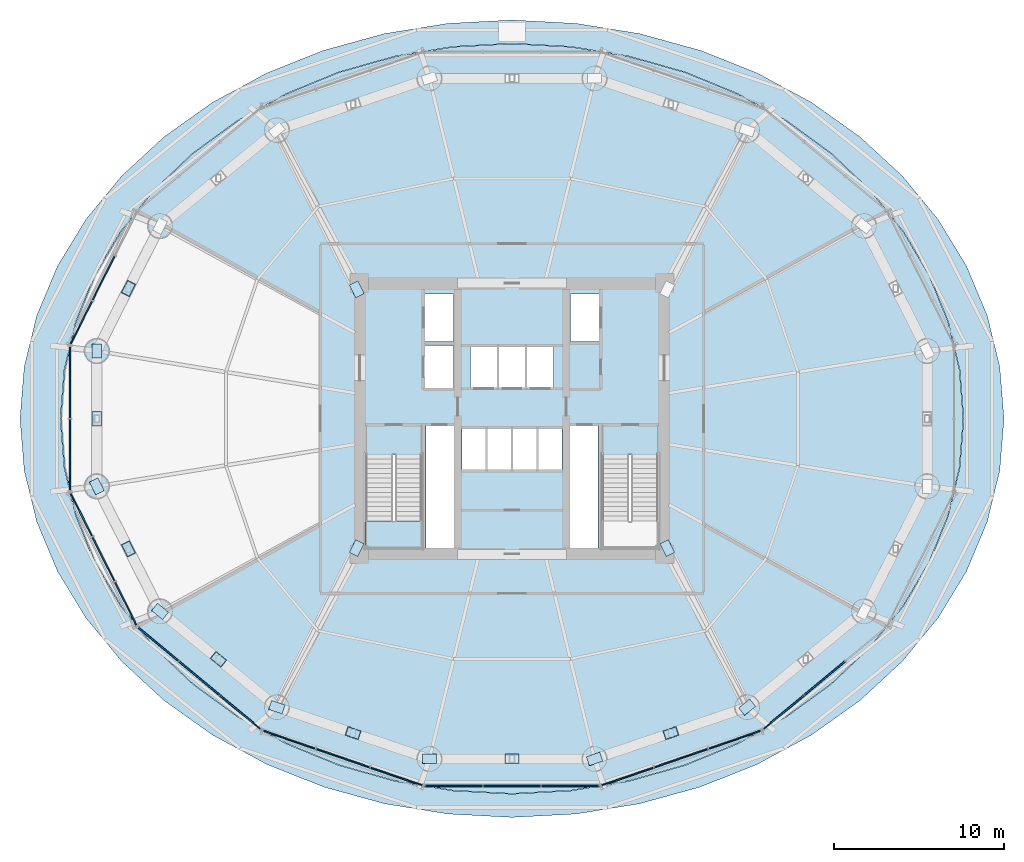
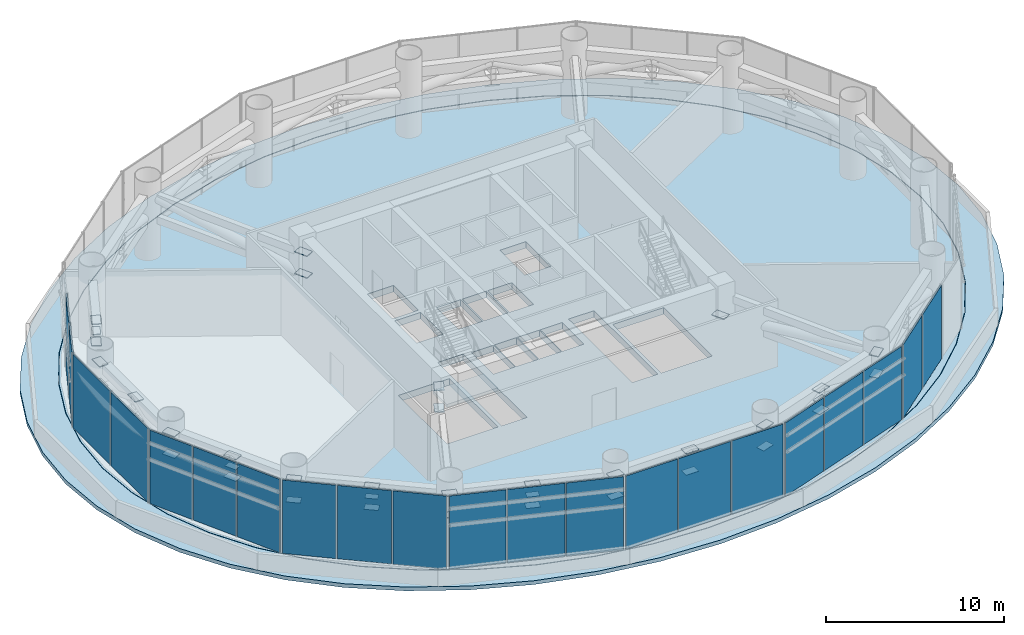
# One storey, part 26 of 33: 59 plates, 3 slabs, 9 elements without a shape of their own.
"""IFC4 building model written with IfcOpenShell, lengths in metres."""

import ifcopenshell
import ifcopenshell.guid

model = None  # the IFC model being written
_history = None  # IfcOwnerHistory: only IFC2X3 demands one
_inside = {}  # id of a spatial element -> (the spatial element, [elements in it])
_under = {}  # id of a project, library or spatial element -> (it, [spatial elements below it])
_declared = {}  # id of a project -> (the project, [libraries it declares])
_typed = {}  # id of a type object -> (the type object, [elements of that type])
_made_of = {}  # id of a material, layer set ... -> (it, [elements and type objects made of it])


def new_model(schema):
    """Start an empty IFC model of exactly this schema.

    Asked for "IFC4X3", IfcOpenShell would pick the latest addendum, in which some entities
    have other attributes; the version numbers below select the first issue.
    IFC2X3 requires an IfcOwnerHistory on every rooted entity: one is made here for all.
    """
    global model, _history
    if schema == "IFC4X3":
        model = ifcopenshell.file(schema_version=(4, 3, 0, 0))
    else:
        model = ifcopenshell.file(schema=schema)
    _inside.clear()
    _under.clear()
    _declared.clear()
    _typed.clear()
    _made_of.clear()
    _history = None
    if model.schema == "IFC2X3":
        org = make("IfcOrganization", Name="unknown")
        user = make(
            "IfcPersonAndOrganization",
            ThePerson=make("IfcPerson", FamilyName="unknown"),
            TheOrganization=org,
        )
        app = make(
            "IfcApplication",
            ApplicationDeveloper=org,
            Version="unknown",
            ApplicationFullName="unknown",
            ApplicationIdentifier="unknown",
        )
        _history = make(
            "IfcOwnerHistory",
            OwningUser=user,
            OwningApplication=app,
            ChangeAction="ADDED",
            CreationDate=0,
        )
    return model


def make(cls, **values):
    """One entity of the class cls with the attributes given. An attribute that is None is left unset."""
    return model.create_entity(
        cls, **{name: value for name, value in values.items() if value is not None}
    )


def rooted(cls, **values):
    """An entity with a GlobalId (a new one), such as an element, a storey or a relation."""
    return make(cls, GlobalId=ifcopenshell.guid.new(), OwnerHistory=_history, **values)


def si_unit(unit_type, name, prefix=None):
    """IfcSIUnit, for example si_unit("LENGTHUNIT", "METRE", prefix="MILLI")."""
    return make("IfcSIUnit", UnitType=unit_type, Prefix=prefix, Name=name)


def assignment(units):
    """IfcUnitAssignment: the units of a project."""
    return None if units is None else make("IfcUnitAssignment", Units=units)


def point(xyz):
    """IfcCartesianPoint."""
    return None if xyz is None else make("IfcCartesianPoint", Coordinates=xyz)


def direction(xyz):
    """IfcDirection."""
    return None if xyz is None else make("IfcDirection", DirectionRatios=xyz)


def frame(location, z_axis=None, x_axis=None):
    """IfcAxis2Placement3D, a coordinate frame: its origin and axes. An axis left out is left unset."""
    return make(
        "IfcAxis2Placement3D",
        Location=point(location),
        Axis=direction(z_axis),
        RefDirection=direction(x_axis),
    )


def frame_2d(location, x_axis=None):
    """IfcAxis2Placement2D, a coordinate frame in the plane: its origin and x axis."""
    return make(
        "IfcAxis2Placement2D", Location=point(location), RefDirection=direction(x_axis)
    )


def origin():
    """The frame at (0, 0, 0) with its axes left unset."""
    return frame((0.0, 0.0, 0.0))


def origin_2d():
    """The frame at (0, 0) in the plane with its x axis left unset."""
    return frame_2d((0.0, 0.0))


def place(relative_to, where):
    """IfcLocalPlacement: puts the frame where relative to a parent placement (None: the world)."""
    return make(
        "IfcLocalPlacement", PlacementRelTo=relative_to, RelativePlacement=where
    )


def context(
    kind, dimensions, precision=None, world=None, true_north=None, identifier=None
):
    """IfcGeometricRepresentationContext, for example the 3D "Model" context."""
    return make(
        "IfcGeometricRepresentationContext",
        ContextIdentifier=identifier,
        ContextType=kind,
        CoordinateSpaceDimension=dimensions,
        Precision=precision,
        WorldCoordinateSystem=world,
        TrueNorth=true_north,
    )


def subcontext(parent, identifier, kind, view, scale=None):
    """IfcGeometricRepresentationSubContext, for example "Body" below "Model"."""
    return make(
        "IfcGeometricRepresentationSubContext",
        ContextIdentifier=identifier,
        ContextType=kind,
        ParentContext=parent,
        TargetScale=scale,
        TargetView=view,
    )


def project(units=None, contexts=None):
    """IfcProject with its units and contexts."""
    return rooted(
        "IfcProject",
        Name="project",
        RepresentationContexts=contexts,
        UnitsInContext=assignment(units),
    )


def spatial(cls, under=None, at=None, **own):
    """A site, building, storey or space (cls), placed at a placement, below another one or the project."""
    s = rooted(cls, ObjectPlacement=at, **own)
    if under is not None:
        _under.setdefault(under.id(), (under, []))[1].append(s)
    return s


def polyline(points):
    """IfcPolyline through the points."""
    return make("IfcPolyline", Points=[point(p) for p in points])


def profile(cls, at=None, kind="AREA", **sizes):
    """A parametric profile (cls). Its sizes go by their IFC names, for example OverallWidth=200.0."""
    return make(cls, ProfileType=kind, Position=at, **sizes)


def rectangle(**sizes):
    """IfcRectangleProfileDef."""
    return profile("IfcRectangleProfileDef", **sizes)


def outline(outer, holes=None, kind="AREA"):
    """IfcArbitraryClosedProfileDef: a profile drawn as a closed curve; with holes, ...WithVoids."""
    if holes is None:
        return make("IfcArbitraryClosedProfileDef", ProfileType=kind, OuterCurve=outer)
    return make(
        "IfcArbitraryProfileDefWithVoids",
        ProfileType=kind,
        OuterCurve=outer,
        InnerCurves=holes,
    )


def extrude(swept, where, along, depth):
    """IfcExtrudedAreaSolid: the profile swept, set in the frame where, extruded along a direction by depth."""
    return make(
        "IfcExtrudedAreaSolid",
        SweptArea=swept,
        Position=where,
        ExtrudedDirection=direction(along),
        Depth=depth,
    )


def shape(context_of_items, identifier, shape_type, items):
    """IfcShapeRepresentation: the items that make up one representation, for example the "Body"."""
    return make(
        "IfcShapeRepresentation",
        ContextOfItems=context_of_items,
        RepresentationIdentifier=identifier,
        RepresentationType=shape_type,
        Items=items,
    )


def source(mapping_origin, context_of_items, identifier, shape_type, items):
    """IfcRepresentationMap: a shape defined once, which mapped items show again and again."""
    return make(
        "IfcRepresentationMap",
        MappingOrigin=mapping_origin,
        MappedRepresentation=shape(context_of_items, identifier, shape_type, items),
    )


def transform(
    local_origin,
    x_axis=None,
    y_axis=None,
    z_axis=None,
    scale=None,
    scale2=None,
    scale3=None,
    uniform=True,
):
    """IfcCartesianTransformationOperator3D, or its non-uniform kind. x_axis, y_axis, z_axis: its Axis1, 2, 3."""
    if uniform:
        return make(
            "IfcCartesianTransformationOperator3D",
            Axis1=direction(x_axis),
            Axis2=direction(y_axis),
            LocalOrigin=point(local_origin),
            Scale=scale,
            Axis3=direction(z_axis),
        )
    return make(
        "IfcCartesianTransformationOperator3DnonUniform",
        Axis1=direction(x_axis),
        Axis2=direction(y_axis),
        LocalOrigin=point(local_origin),
        Scale=scale,
        Axis3=direction(z_axis),
        Scale2=scale2,
        Scale3=scale3,
    )


def mapped(mapping_source, mapping_target):
    """IfcMappedItem: shows the shape of a source again, moved by a transform."""
    return make(
        "IfcMappedItem", MappingSource=mapping_source, MappingTarget=mapping_target
    )


def material(Name=None, Category=None):
    """IfcMaterial."""
    return make("IfcMaterial", Name=Name, Category=Category)


def layer(
    of_material, thickness, ventilated=None, Name=None, Category=None, Priority=None
):
    """IfcMaterialLayer: one layer of a wall or slab, of a material (None: an air gap)."""
    return make(
        "IfcMaterialLayer",
        Material=of_material,
        LayerThickness=thickness,
        IsVentilated=ventilated,
        Name=Name,
        Category=Category,
        Priority=Priority,
    )


def layer_set(layers, Name=None):
    """IfcMaterialLayerSet."""
    return make("IfcMaterialLayerSet", MaterialLayers=layers, LayerSetName=Name)


def made_of(thing, what):
    """Note that an element or type object is made of a material, layer set ...; save() writes the relation."""
    if what is not None:
        _made_of.setdefault(what.id(), (what, []))[1].append(thing)
    return thing


def type_object(cls, material=None, **own):
    """A type object (cls), such as IfcWallType, which elements share."""
    return made_of(rooted(cls, **own), material)


def element(
    cls,
    number,
    at=None,
    inside=None,
    cuts=None,
    type_object=None,
    material=None,
    context=None,
    identifier="Body",
    shape_type=None,
    held_by="IfcProductDefinitionShape",
    body=None,
    shapes=None,
    **own,
):
    """One element of the class cls, such as IfcWall. Its Tag is "e" and its number.

    at: its placement. inside: the storey or other place that contains it. cuts: it is an
    opening in that element (IfcRelVoidsElement). A single representation is given by context,
    identifier, shape_type and body (its items); several are given by shapes. held_by: the class
    of the entity that holds the representations. save() writes the other relations.
    """
    e = rooted(cls, Tag="e%d" % number, ObjectPlacement=at, **own)
    if body is not None:
        shapes = [shape(context, identifier, shape_type, body)]
    if shapes is not None:
        e.Representation = make(held_by, Representations=shapes)
    if inside is not None:
        _inside.setdefault(inside.id(), (inside, []))[1].append(e)
    if cuts is not None:
        rooted(
            "IfcRelVoidsElement", RelatingBuildingElement=cuts, RelatedOpeningElement=e
        )
    if type_object is not None:
        _typed.setdefault(type_object.id(), (type_object, []))[1].append(e)
    return made_of(e, material)


def aggregate(whole, parts):
    """IfcRelAggregates: a whole, such as a stair, and the parts it consists of."""
    return rooted("IfcRelAggregates", RelatingObject=whole, RelatedObjects=parts)


def save(model, path):
    """Write the relations noted so far, then the file.

    IfcRelAggregates (storeys below a building ...), IfcRelContainedInSpatialStructure (elements
    in a storey), IfcRelDefinesByType, IfcRelAssociatesMaterial and IfcRelDeclares: one each for
    every whole, place, type object, material and project.
    """
    for whole, parts in _under.values():
        aggregate(whole, parts)
    for where, things in _inside.values():
        rooted(
            "IfcRelContainedInSpatialStructure",
            RelatedElements=things,
            RelatingStructure=where,
        )
    for kind, things in _typed.values():
        rooted("IfcRelDefinesByType", RelatedObjects=things, RelatingType=kind)
    for what, things in _made_of.values():
        rooted("IfcRelAssociatesMaterial", RelatedObjects=things, RelatingMaterial=what)
    for by, libraries in _declared.values():
        rooted("IfcRelDeclares", RelatingContext=by, RelatedDefinitions=libraries)
    model.write(path)


model = new_model("IFC4")

# Units and contexts
model_context = context("Model", 3, precision=1e-05, world=origin(), true_north=direction((-0.2419218956, 0.970295726276)))
body_context = subcontext(model_context, "Body", "Model", "MODEL_VIEW")
ifc_project = project(units=[si_unit("LENGTHUNIT", "METRE"), si_unit("AREAUNIT", "SQUARE_METRE"), si_unit("VOLUMEUNIT", "CUBIC_METRE"), si_unit("PLANEANGLEUNIT", "RADIAN"), si_unit("MASSUNIT", "GRAM", prefix="KILO")], contexts=[model_context])

# Site, building, storey
site_placement = place(None, origin())
site = spatial("IfcSite", under=ifc_project, at=site_placement, CompositionType="ELEMENT")
building_placement = place(site_placement, origin())
building = spatial("IfcBuilding", under=site, at=building_placement, Name="Cobrevalo Terracotta Tower", CompositionType="ELEMENT")
storey_placement = place(building_placement, frame((0.0, 0.0, 74.39990234375)))
storey = spatial("IfcBuildingStorey", under=building, at=storey_placement, Name="L19", CompositionType="ELEMENT", Elevation=74.39990234375)

# Stair, slab
ifc_material_1 = material(Name="Concrete C50", Category="concrete")
stair_type = type_object("IfcStairType", Name="Core protected escape dogleg stair 1600", PredefinedType="HALF_TURN_STAIR", material=ifc_material_1)
stair_placement = place(storey_placement, origin())
stair = element("IfcStair", 1, at=stair_placement, inside=storey, type_object=stair_type, Name="L19 Protected exit stair ST-1", PredefinedType="HALF_TURN_STAIR")
ifc_layer_1 = layer(ifc_material_1, 0.199951171875)
ifc_layer_set_1 = layer_set([ifc_layer_1], Name="Concrete C50")
slab_type_1 = type_object("IfcSlabType", Name="Reinforced Concrete Stair Landing 200", PredefinedType="LANDING", material=ifc_layer_set_1)
slab_1_placement = place(storey_placement, frame((0.0, 0.0, 2.5)))
slab_1 = element("IfcSlab", 2, at=slab_1_placement, type_object=slab_type_1, Name="ST-1 landing 1", PredefinedType="LANDING", context=body_context, shape_type="SweptSolid", body=[
    extrude(outline(polyline([(29.375, 20.780029296875), (29.375, 19.175048828125), (32.695068359375, 19.175048828125), (32.695068359375, 20.780029296875), (29.375, 20.780029296875)])), origin(), (0.0, 0.0, 1.0), 0.2001953125),
])
aggregate(stair, [slab_1])

# Slabs
ifc_material_2 = material(Name="Concrete C55", Category="concrete")
ifc_layer_2 = layer(ifc_material_2, 0.449951171875)
ifc_layer_set_2 = layer_set([ifc_layer_2], Name="Concrete C55")
slab_type_2 = type_object("IfcSlabType", Name="Structural transfer deck slab 450 mm", PredefinedType="FLOOR", material=ifc_layer_set_2)
slab_2_placement = place(storey_placement, frame((0.0, 0.0, -0.449951171875)))
element("IfcSlab", 3, at=slab_2_placement, inside=storey, type_object=slab_type_2, Name="L19 indoor elliptical floor slab", PredefinedType="FLOOR", context=body_context, shape_type="SweptSolid", body=[
    extrude(outline(polyline([(64.372314453125, 23.915283203125), (63.693603515625, 21.080078125), (62.5751953125, 18.3427734375), (61.036376953125, 15.75), (59.103271484375, 13.346435546875), (56.80908203125, 11.1728515625), (54.193115234375, 9.266845703125), (51.300048828125, 7.660888671875), (48.179443359375, 6.38232421875), (44.884521484375, 5.453125), (41.471923828125, 4.88916015625), (38.0, 4.699951171875), (34.528076171875, 4.88916015625), (31.115478515625, 5.453125), (27.820556640625, 6.38232421875), (24.699951171875, 7.660888671875), (21.806884765625, 9.266845703125), (19.19091796875, 11.1728515625), (16.896728515625, 13.346435546875), (14.963623046875, 15.75), (13.4248046875, 18.3427734375), (12.306396484375, 21.080078125), (11.627685546875, 23.915283203125), (11.39990234375, 26.800048828125), (11.627685546875, 29.6845703125), (12.306396484375, 32.52001953125), (13.4248046875, 35.25732421875), (14.963623046875, 37.85009765625), (16.896728515625, 40.253662109375), (19.19091796875, 42.427001953125), (21.806884765625, 44.3330078125), (24.699951171875, 45.939208984375), (27.820556640625, 47.2177734375), (31.115478515625, 48.14697265625), (34.528076171875, 48.7109375), (38.0, 48.89990234375), (41.471923828125, 48.7109375), (44.884521484375, 48.14697265625), (48.179443359375, 47.2177734375), (51.300048828125, 45.939208984375), (54.193115234375, 44.3330078125), (56.80908203125, 42.427001953125), (59.103271484375, 40.253662109375), (61.036376953125, 37.85009765625), (62.5751953125, 35.25732421875), (63.693603515625, 32.52001953125), (64.372314453125, 29.6845703125), (64.60009765625, 26.800048828125), (64.372314453125, 23.915283203125)]), holes=[polyline([(32.695068359375, 19.175048828125), (32.695068359375, 24.659912109375), (29.375, 24.659912109375), (29.375, 19.175048828125), (32.695068359375, 19.175048828125)]), polyline([(34.574951171875, 19.175048828125), (34.574951171875, 26.360107421875), (32.919921875, 26.360107421875), (32.919921875, 19.175048828125), (34.574951171875, 19.175048828125)]), polyline([(36.47998046875, 23.800048828125), (36.47998046875, 26.25), (35.050048828125, 26.25), (35.050048828125, 23.800048828125), (36.47998046875, 23.800048828125)]), polyline([(37.9599609375, 23.800048828125), (37.9599609375, 26.25), (36.530029296875, 26.25), (36.530029296875, 23.800048828125), (37.9599609375, 23.800048828125)]), polyline([(37.1201171875, 28.60009765625), (37.1201171875, 31.050048828125), (35.550048828125, 31.050048828125), (35.550048828125, 28.60009765625), (37.1201171875, 28.60009765625)]), polyline([(34.550048828125, 28.60009765625), (34.550048828125, 31.10009765625), (32.85009765625, 31.10009765625), (32.85009765625, 28.60009765625), (34.550048828125, 28.60009765625)]), polyline([(34.550048828125, 31.35009765625), (34.550048828125, 34.14990234375), (32.85009765625, 34.14990234375), (32.85009765625, 31.35009765625), (34.550048828125, 31.35009765625)]), polyline([(46.625, 19.175048828125), (46.625, 24.659912109375), (43.304931640625, 24.659912109375), (43.304931640625, 19.175048828125), (46.625, 19.175048828125)]), polyline([(43.080078125, 19.175048828125), (43.080078125, 26.360107421875), (41.425048828125, 26.360107421875), (41.425048828125, 19.175048828125), (43.080078125, 19.175048828125)]), polyline([(39.469970703125, 23.800048828125), (39.469970703125, 26.25), (38.0400390625, 26.25), (38.0400390625, 23.800048828125), (39.469970703125, 23.800048828125)]), polyline([(40.949951171875, 23.800048828125), (40.949951171875, 26.25), (39.52001953125, 26.25), (39.52001953125, 23.800048828125), (40.949951171875, 23.800048828125)]), polyline([(38.780029296875, 28.60009765625), (38.780029296875, 31.050048828125), (37.219970703125, 31.050048828125), (37.219970703125, 28.60009765625), (38.780029296875, 28.60009765625)]), polyline([(40.449951171875, 28.60009765625), (40.449951171875, 31.050048828125), (38.8798828125, 31.050048828125), (38.8798828125, 28.60009765625), (40.449951171875, 28.60009765625)]), polyline([(43.14990234375, 31.35009765625), (43.14990234375, 34.14990234375), (41.449951171875, 34.14990234375), (41.449951171875, 31.35009765625), (43.14990234375, 31.35009765625)])]), origin(), (0.0, 0.0, 1.0), 0.449951171875),
])
ifc_material_3 = material(Name="Concrete C45", Category="concrete")
ifc_layer_3 = layer(ifc_material_3, 0.260009765625)
ifc_layer_set_3 = layer_set([ifc_layer_3], Name="Concrete C45")
slab_type_3 = type_object("IfcSlabType", Name="Zone setback structural roof slab 260 mm", PredefinedType="ROOF", material=ifc_layer_set_3)
slab_3_placement = place(storey_placement, frame((0.0, 0.0, -0.260009765625)))
element("IfcSlab", 4, at=slab_3_placement, inside=storey, type_object=slab_type_3, Name="L19 zone setback roof collar slab 1", PredefinedType="ROOF", context=body_context, shape_type="SweptSolid", body=[
    extrude(outline(polyline([(66.751953125, 23.732666015625), (66.011962890625, 20.7177734375), (64.79248046875, 17.806884765625), (63.11474609375, 15.050048828125), (61.00732421875, 12.494140625), (58.506103515625, 10.18310546875), (55.654052734375, 8.15625), (52.5, 6.448486328125), (49.097900390625, 5.0888671875), (45.505859375, 4.100830078125), (41.78515625, 3.5009765625), (38.0, 3.300048828125), (34.21484375, 3.5009765625), (30.494140625, 4.100830078125), (26.902099609375, 5.0888671875), (23.5, 6.448486328125), (20.345947265625, 8.15625), (17.493896484375, 10.18310546875), (14.99267578125, 12.494140625), (12.88525390625, 15.050048828125), (11.20751953125, 17.806884765625), (9.988037109375, 20.7177734375), (9.248046875, 23.732666015625), (9.0, 26.800048828125), (9.248046875, 29.867431640625), (9.988037109375, 32.88232421875), (11.20751953125, 35.79296875), (12.88525390625, 38.550048828125), (14.99267578125, 41.10595703125), (17.493896484375, 43.4169921875), (20.345947265625, 45.44384765625), (23.5, 47.151611328125), (26.902099609375, 48.51123046875), (30.494140625, 49.499267578125), (34.21484375, 50.098876953125), (38.0, 50.300048828125), (41.78515625, 50.098876953125), (45.505859375, 49.499267578125), (49.097900390625, 48.51123046875), (52.5, 47.151611328125), (55.654052734375, 45.44384765625), (58.506103515625, 43.4169921875), (61.00732421875, 41.10595703125), (63.11474609375, 38.550048828125), (64.79248046875, 35.79296875), (66.011962890625, 32.88232421875), (66.751953125, 29.867431640625), (67.0, 26.800048828125), (66.751953125, 23.732666015625)]), holes=[polyline([(64.392333984375, 29.687255859375), (63.712890625, 32.525146484375), (62.59375, 35.264892578125), (61.0537109375, 37.860107421875), (59.119140625, 40.265869140625), (56.8232421875, 42.441162109375), (54.205322265625, 44.348876953125), (51.31005859375, 45.95654296875), (48.18701171875, 47.236328125), (44.8896484375, 48.166259765625), (41.474609375, 48.730712890625), (38.0, 48.919921875), (34.525390625, 48.730712890625), (31.1103515625, 48.166259765625), (27.81298828125, 47.236328125), (24.68994140625, 45.95654296875), (21.794677734375, 44.348876953125), (19.1767578125, 42.441162109375), (16.880859375, 40.265869140625), (14.9462890625, 37.860107421875), (13.40625, 35.264892578125), (12.287109375, 32.525146484375), (11.607666015625, 29.687255859375), (11.3798828125, 26.800048828125), (11.607666015625, 23.912841796875), (12.287109375, 21.074951171875), (13.40625, 18.3349609375), (14.9462890625, 15.739990234375), (16.880859375, 13.334228515625), (19.1767578125, 11.15869140625), (21.794677734375, 9.2509765625), (24.68994140625, 7.6435546875), (27.81298828125, 6.36376953125), (31.1103515625, 5.433837890625), (34.525390625, 4.869140625), (38.0, 4.679931640625), (41.474609375, 4.869140625), (44.8896484375, 5.433837890625), (48.18701171875, 6.36376953125), (51.31005859375, 7.6435546875), (54.205322265625, 9.2509765625), (56.8232421875, 11.15869140625), (59.119140625, 13.334228515625), (61.0537109375, 15.739990234375), (62.59375, 18.3349609375), (63.712890625, 21.074951171875), (64.392333984375, 23.912841796875), (64.6201171875, 26.800048828125), (64.392333984375, 29.687255859375)])]), origin(), (0.0, 0.0, 1.0), 0.260009765625),
])

# Plates
ifc_material_4 = material(Name="Steel S355", Category="steel")
ifc_layer_4 = layer(ifc_material_4, 0.035888671875)
ifc_layer_set_4 = layer_set([ifc_layer_4], Name="Steel S355")
plate_type_1 = type_object("IfcPlateType", Name="Structural Cap Plate 840x560x36 (Steel S355)", PredefinedType="USERDEFINED", material=ifc_layer_set_4)
shared_shape_1 = source(origin(), body_context, "Body", "SweptSolid", [
    extrude(rectangle(XDim=0.840087890625, YDim=0.56005859375, at=origin_2d()), origin(), (0.0, 0.0, 1.0), 0.035888671875),
])
for number, where, z_axis, x_axis, name in (
    (5, (15.39208984375, 34.4755859375, 2.63232421875), (0.0, 0.0, 1.0), (-0.45103643487, -0.892505537473, 0.0), "L19 hollow end cap plate CAP-BT-L19-07-BM"),
    (6, (15.39208984375, 34.4755859375, 4.126953125), (0.0, 0.0, 1.0), (-0.45103643487, -0.892505537473, 0.0), "L19 hollow end cap plate CAP-BT-L19-07-TM"),
    (7, (13.529296875, 30.78955078125, 2.63232421875), (0.0, 0.0, 1.0), (0.0, -1.0, 0.0), "L19 hollow end cap plate CAP-BT-L19-08-B0"),
    (8, (13.529296875, 30.78955078125, 4.126953125), (0.0, 0.0, 1.0), (0.0, -1.0, 0.0), "L19 hollow end cap plate CAP-BT-L19-08-T0"),
    (9, (13.529296875, 26.800048828125, 2.63232421875), (0.0, 0.0, 1.0), (0.0, -1.0, 0.0), "L19 hollow end cap plate CAP-BT-L19-08-BM"),
    (10, (13.529296875, 26.800048828125, 4.126953125), (0.0, 0.0, 1.0), (0.0, -1.0, 0.0), "L19 hollow end cap plate CAP-BT-L19-08-TM"),
    (11, (13.529296875, 22.810302734375, 2.63232421875), (0.0, 0.0, 1.0), (0.45103643487, -0.892505537473, 0.0), "L19 hollow end cap plate CAP-BT-L19-09-B0"),
    (12, (13.529296875, 22.810302734375, 4.126953125), (0.0, 0.0, 1.0), (0.45103643487, -0.892505537473, 0.0), "L19 hollow end cap plate CAP-BT-L19-09-T0"),
    (13, (15.39208984375, 19.12451171875, 2.63232421875), (0.0, 0.0, 1.0), (0.45103643487, -0.892505537473, 0.0), "L19 hollow end cap plate CAP-BT-L19-09-BM"),
    (14, (15.39208984375, 19.12451171875, 4.126953125), (0.0, 0.0, 1.0), (0.45103643487, -0.892505537473, 0.0), "L19 hollow end cap plate CAP-BT-L19-09-TM"),
    (15, (17.2548828125, 15.4384765625, 2.63232421875), (0.0, 0.0, 1.0), (0.773404476279, -0.633912861576, 0.0), "L19 hollow end cap plate CAP-BT-L19-10-B0"),
    (16, (17.2548828125, 15.4384765625, 4.126953125), (0.0, 0.0, 1.0), (0.773404476279, -0.633912861576, 0.0), "L19 hollow end cap plate CAP-BT-L19-10-T0"),
    (17, (20.69677734375, 12.617431640625, 2.63232421875), (0.0, 0.0, 1.0), (0.773404476279, -0.633912861576, 0.0), "L19 hollow end cap plate CAP-BT-L19-10-BM"),
    (18, (20.69677734375, 12.617431640625, 4.126953125), (0.0, 0.0, 1.0), (0.773404476279, -0.633912861576, 0.0), "L19 hollow end cap plate CAP-BT-L19-10-TM"),
    (19, (24.138427734375, 9.79638671875, 2.63232421875), (0.0, 0.0, 1.0), (0.94691554206, -0.321482435298, 0.0), "L19 hollow end cap plate CAP-BT-L19-11-B0"),
    (20, (24.138427734375, 9.79638671875, 4.126953125), (0.0, 0.0, 1.0), (0.94691554206, -0.321482435298, 0.0), "L19 hollow end cap plate CAP-BT-L19-11-T0"),
    (21, (28.635498046875, 8.269775390625, 2.63232421875), (0.0, 0.0, 1.0), (0.94691554206, -0.321482435298, 0.0), "L19 hollow end cap plate CAP-BT-L19-11-BM"),
    (22, (28.635498046875, 8.269775390625, 4.126953125), (0.0, 0.0, 1.0), (0.94691554206, -0.321482435298, 0.0), "L19 hollow end cap plate CAP-BT-L19-11-TM"),
    (23, (33.132568359375, 6.742919921875, 2.63232421875), (0.0, 0.0, 1.0), (1.0, 0.0, 0.0), "L19 hollow end cap plate CAP-BT-L19-12-B0"),
    (24, (33.132568359375, 6.742919921875, 4.126953125), (0.0, 0.0, 1.0), (1.0, 0.0, 0.0), "L19 hollow end cap plate CAP-BT-L19-12-T0"),
    (25, (38.0, 6.742919921875, 2.63232421875), (0.0, 0.0, 1.0), (1.0, 0.0, 0.0), "L19 hollow end cap plate CAP-BT-L19-12-BM"),
    (26, (38.0, 6.742919921875, 4.126953125), (0.0, 0.0, 1.0), (1.0, 0.0, 0.0), "L19 hollow end cap plate CAP-BT-L19-12-TM"),
    (27, (42.867431640625, 6.742919921875, 2.63232421875), (0.0, 0.0, 1.0), (0.94691554206, 0.321482435298, 0.0), "L19 hollow end cap plate CAP-BT-L19-13-B0"),
    (28, (42.867431640625, 6.742919921875, 4.126953125), (0.0, 0.0, 1.0), (0.94691554206, 0.321482435298, 0.0), "L19 hollow end cap plate CAP-BT-L19-13-T0"),
    (29, (47.364501953125, 8.269775390625, 2.63232421875), (0.0, 0.0, 1.0), (0.94691554206, 0.321482435298, 0.0), "L19 hollow end cap plate CAP-BT-L19-13-BM"),
    (30, (47.364501953125, 8.269775390625, 4.126953125), (0.0, 0.0, 1.0), (0.94691554206, 0.321482435298, 0.0), "L19 hollow end cap plate CAP-BT-L19-13-TM"),
    (31, (51.861572265625, 9.79638671875, 2.63232421875), (0.0, 0.0, 1.0), (0.773404476279, 0.633912861576, 0.0), "L19 hollow end cap plate CAP-BT-L19-14-B0"),
    (32, (51.861572265625, 9.79638671875, 4.126953125), (0.0, 0.0, 1.0), (0.773404476279, 0.633912861576, 0.0), "L19 hollow end cap plate CAP-BT-L19-14-T0"),
    (33, (28.85009765625, 34.425048828125, 2.63232421875), (0.0, 0.0, 1.0), (-0.448904195769, 0.893579891795, 0.0), "L19 hollow end cap plate CAP-OR-L19-2-CB"),
    (34, (28.85009765625, 34.425048828125, 4.126953125), (0.0, 0.0, 1.0), (-0.448904195769, 0.893579891795, 0.0), "L19 hollow end cap plate CAP-OR-L19-2-CT"),
    (35, (28.85009765625, 19.175048828125, 2.63232421875), (0.0, 0.0, 1.0), (-0.448904195769, -0.893579891795, 0.0), "L19 hollow end cap plate CAP-OR-L19-3-CB"),
    (36, (28.85009765625, 19.175048828125, 4.126953125), (0.0, 0.0, 1.0), (-0.448904195769, -0.893579891795, 0.0), "L19 hollow end cap plate CAP-OR-L19-3-CT"),
    (37, (47.14990234375, 19.175048828125, 2.63232421875), (0.0, 0.0, 1.0), (0.448904195769, -0.893579891795, 0.0), "L19 hollow end cap plate CAP-OR-L19-4-CB"),
):
    element("IfcPlate", number, at=place(storey_placement, frame(where, z_axis=z_axis, x_axis=x_axis)), inside=storey, type_object=plate_type_1, Name=name, ObjectType="CAP PLATE", PredefinedType="USERDEFINED", context=body_context, shape_type="MappedRepresentation", body=[
        mapped(shared_shape_1, transform((0.0, 0.0, 0.0), scale=1.0)),
    ])
ifc_layer_5 = layer(ifc_material_4, 0.031982421875)
ifc_layer_set_5 = layer_set([ifc_layer_5], Name="Steel S355")
plate_type_2 = type_object("IfcPlateType", Name="Structural Gusset Plate 750x480x32 (Steel S355)", PredefinedType="SHEET", material=ifc_layer_set_5)
shared_shape_2 = source(origin(), body_context, "Body", "SweptSolid", [
    extrude(rectangle(XDim=0.75, YDim=0.47998046875, at=origin_2d()), origin(), (0.0, 0.0, 1.0), 0.031982421875),
])
for number, where, z_axis, x_axis, name in (
    (38, (15.39208984375, 34.4755859375, 3.3818359375), (0.0, 0.0, 1.0), (-0.45103643487, -0.892505537473, 0.0), "L19 hollow end cap plate GUS-BT-L19-07"),
    (39, (15.39208984375, 19.12451171875, 3.3818359375), (0.0, 0.0, 1.0), (0.45103643487, -0.892505537473, 0.0), "L19 hollow end cap plate GUS-BT-L19-09"),
    (40, (20.69677734375, 12.617431640625, 3.3818359375), (0.0, 0.0, 1.0), (0.773404476279, -0.633912861576, 0.0), "L19 hollow end cap plate GUS-BT-L19-10"),
    (41, (28.635498046875, 8.269775390625, 3.3818359375), (0.0, 0.0, 1.0), (0.94691554206, -0.321482435298, 0.0), "L19 hollow end cap plate GUS-BT-L19-11"),
    (42, (47.364501953125, 8.269775390625, 3.3818359375), (0.0, 0.0, 1.0), (0.94691554206, 0.321482435298, 0.0), "L19 hollow end cap plate GUS-BT-L19-13"),
):
    element("IfcPlate", number, at=place(storey_placement, frame(where, z_axis=z_axis, x_axis=x_axis)), inside=storey, type_object=plate_type_2, Name=name, PredefinedType="SHEET", context=body_context, shape_type="MappedRepresentation", body=[
        mapped(shared_shape_2, transform((0.0, 0.0, 0.0), scale=1.0)),
    ])

# Curtain wall, plate
ifc_material_5 = material(Name="Anodized aluminium", Category="aluminium")
curtain_wall_type = type_object("IfcCurtainWallType", Name="Belt-truss plant acoustic weather-louvre curtain wall CW-LV", PredefinedType="NOTDEFINED", material=ifc_material_5)
curtain_wall_1_placement = place(storey_placement, origin())
curtain_wall_1 = element("IfcCurtainWall", 43, at=curtain_wall_1_placement, inside=storey, type_object=curtain_wall_type, Name="L19 curtain wall CW-LV-L19-S07", PredefinedType="NOTDEFINED")
ifc_material_6 = material(Name="Anodized aluminium weather louvre", Category="aluminium")
ifc_layer_6 = layer(ifc_material_6, 0.0849609375)
ifc_layer_set_6 = layer_set([ifc_layer_6], Name="Anodized aluminium weather louvre")
plate_type_3 = type_object("IfcPlateType", Name="Plant room acoustic weather-louvre cassette 85 mm", PredefinedType="USERDEFINED", material=ifc_layer_set_6)
shared_shape_3 = source(origin(), body_context, "Body", "SweptSolid", [
    extrude(rectangle(XDim=2.843505859375, YDim=0.0849609375, at=origin_2d()), origin(), (0.0, 0.0, 1.0), 5.044921875),
])
plate_1_placement = place(storey_placement, frame((12.610595703125, 32.449462890625, 0.0400390625), z_axis=(0.0, 0.0, 1.0), x_axis=(-0.446261852127, -0.894902430065, 0.0)))
plate_1 = element("IfcPlate", 44, at=plate_1_placement, type_object=plate_type_3, Name="CW-LV-L19-S07 acoustic louvre panel B03", ObjectType="LOUVRE_PANEL", PredefinedType="USERDEFINED", context=body_context, shape_type="MappedRepresentation", body=[
    mapped(shared_shape_3, transform((0.0, 0.0, 0.0), scale=1.0)),
])

# Curtain wall, plates
curtain_wall_2_placement = place(storey_placement, origin())
curtain_wall_2 = element("IfcCurtainWall", 45, at=curtain_wall_2_placement, inside=storey, type_object=curtain_wall_type, Name="L19 curtain wall CW-LV-L19-S09", PredefinedType="NOTDEFINED")
plate_2_placement = place(storey_placement, frame((12.610595703125, 21.150390625, 0.0400390625), z_axis=(0.0, 0.0, 1.0), x_axis=(0.446261852127, -0.894902430065, 0.0)))
plate_2 = element("IfcPlate", 46, at=plate_2_placement, type_object=plate_type_3, Name="CW-LV-L19-S09 acoustic louvre panel B01", ObjectType="LOUVRE_PANEL", PredefinedType="USERDEFINED", context=body_context, shape_type="MappedRepresentation", body=[
    mapped(shared_shape_3, transform((0.0, 0.0, 0.0), scale=1.0)),
])
plate_3_placement = place(storey_placement, frame((15.23779296875, 15.88232421875, 0.0400390625), z_axis=(0.0, 0.0, 1.0), x_axis=(0.446261852127, -0.894902430065, 0.0)))
plate_3 = element("IfcPlate", 47, at=plate_3_placement, type_object=plate_type_3, Name="CW-LV-L19-S09 acoustic louvre panel B03", ObjectType="LOUVRE_PANEL", PredefinedType="USERDEFINED", context=body_context, shape_type="MappedRepresentation", body=[
    mapped(shared_shape_3, transform((0.0, 0.0, 0.0), scale=1.0)),
])

# Plate
shared_shape_4 = source(origin(), body_context, "Body", "SweptSolid", [
    extrude(rectangle(XDim=2.88330078125, YDim=0.0849609375, at=origin_2d()), origin(), (0.0, 0.0, 1.0), 5.044921875),
])
plate_4_placement = place(storey_placement, frame((13.924072265625, 35.08349609375, 0.0400390625), z_axis=(0.0, 0.0, 1.0), x_axis=(-0.446261852127, -0.894902430065, 0.0)))
plate_4 = element("IfcPlate", 48, at=plate_4_placement, type_object=plate_type_3, Name="CW-LV-L19-S07 acoustic louvre panel B02", ObjectType="LOUVRE_PANEL", PredefinedType="USERDEFINED", context=body_context, shape_type="MappedRepresentation", body=[
    mapped(shared_shape_4, transform((0.0, 0.0, 0.0), scale=1.0)),
])

aggregate(curtain_wall_1, [plate_4, plate_1])

plate_5_placement = place(storey_placement, frame((13.924072265625, 18.516357421875, 0.0400390625), z_axis=(0.0, 0.0, 1.0), x_axis=(0.446261852127, -0.894902430065, 0.0)))
plate_5 = element("IfcPlate", 49, at=plate_5_placement, type_object=plate_type_3, Name="CW-LV-L19-S09 acoustic louvre panel B02", ObjectType="LOUVRE_PANEL", PredefinedType="USERDEFINED", context=body_context, shape_type="MappedRepresentation", body=[
    mapped(shared_shape_4, transform((0.0, 0.0, 0.0), scale=1.0)),
])

aggregate(curtain_wall_2, [plate_2, plate_5, plate_3])

# Curtain wall, plates
curtain_wall_3_placement = place(storey_placement, origin())
curtain_wall_3 = element("IfcCurtainWall", 50, at=curtain_wall_3_placement, inside=storey, type_object=curtain_wall_type, Name="L19 curtain wall CW-LV-L19-S10", PredefinedType="NOTDEFINED")
shared_shape_5 = source(origin(), body_context, "Body", "SweptSolid", [
    extrude(rectangle(XDim=3.056640625, YDim=0.0849609375, at=origin_2d()), origin(), (0.0, 0.0, 1.0), 5.044921875),
])
plate_6_placement = place(storey_placement, frame((17.14501953125, 13.510986328125, 0.0400390625), z_axis=(0.0, 0.0, 1.0), x_axis=(0.769241221277, -0.638958483384, 0.0)))
plate_6 = element("IfcPlate", 51, at=plate_6_placement, type_object=plate_type_3, Name="CW-LV-L19-S10 acoustic louvre panel B01", ObjectType="LOUVRE_PANEL", PredefinedType="USERDEFINED", context=body_context, shape_type="MappedRepresentation", body=[
    mapped(shared_shape_5, transform((0.0, 0.0, 0.0), scale=1.0)),
])
plate_7_placement = place(storey_placement, frame((22.001220703125, 9.47705078125, 0.0400390625), z_axis=(0.0, 0.0, 1.0), x_axis=(0.769241221277, -0.638958483384, 0.0)))
plate_7 = element("IfcPlate", 52, at=plate_7_placement, type_object=plate_type_3, Name="CW-LV-L19-S10 acoustic louvre panel B03", ObjectType="LOUVRE_PANEL", PredefinedType="USERDEFINED", context=body_context, shape_type="MappedRepresentation", body=[
    mapped(shared_shape_5, transform((0.0, 0.0, 0.0), scale=1.0)),
])

# Curtain wall, plate
curtain_wall_4_placement = place(storey_placement, origin())
curtain_wall_4 = element("IfcCurtainWall", 53, at=curtain_wall_4_placement, inside=storey, type_object=curtain_wall_type, Name="L19 curtain wall CW-LV-L19-S14", PredefinedType="NOTDEFINED")
plate_8_placement = place(storey_placement, frame((53.998779296875, 9.47705078125, 0.0400390625), z_axis=(0.0, 0.0, 1.0), x_axis=(0.769241221277, 0.638958483384, 0.0)))
plate_8 = element("IfcPlate", 54, at=plate_8_placement, type_object=plate_type_3, Name="CW-LV-L19-S14 acoustic louvre panel B01", ObjectType="LOUVRE_PANEL", PredefinedType="USERDEFINED", context=body_context, shape_type="MappedRepresentation", body=[
    mapped(shared_shape_5, transform((0.0, 0.0, 0.0), scale=1.0)),
])

# Plate
shared_shape_6 = source(origin(), body_context, "Body", "SweptSolid", [
    extrude(rectangle(XDim=3.0966796875, YDim=0.0849609375, at=origin_2d()), origin(), (0.0, 0.0, 1.0), 5.044921875),
])
plate_9_placement = place(storey_placement, frame((19.5732421875, 11.493896484375, 0.0400390625), z_axis=(0.0, 0.0, 1.0), x_axis=(0.769241221277, -0.638958483384, 0.0)))
plate_9 = element("IfcPlate", 55, at=plate_9_placement, type_object=plate_type_3, Name="CW-LV-L19-S10 acoustic louvre panel B02", ObjectType="LOUVRE_PANEL", PredefinedType="USERDEFINED", context=body_context, shape_type="MappedRepresentation", body=[
    mapped(shared_shape_6, transform((0.0, 0.0, 0.0), scale=1.0)),
])

aggregate(curtain_wall_3, [plate_6, plate_9, plate_7])

plate_10_placement = place(storey_placement, frame((56.4267578125, 11.493896484375, 0.0400390625), z_axis=(0.0, 0.0, 1.0), x_axis=(0.769241221277, 0.638958483384, 0.0)))
plate_10 = element("IfcPlate", 56, at=plate_10_placement, type_object=plate_type_3, Name="CW-LV-L19-S14 acoustic louvre panel B02", ObjectType="LOUVRE_PANEL", PredefinedType="USERDEFINED", context=body_context, shape_type="MappedRepresentation", body=[
    mapped(shared_shape_6, transform((0.0, 0.0, 0.0), scale=1.0)),
])

aggregate(curtain_wall_4, [plate_8, plate_10])

# Curtain wall, plates
curtain_wall_5_placement = place(storey_placement, origin())
curtain_wall_5 = element("IfcCurtainWall", 57, at=curtain_wall_5_placement, inside=storey, type_object=curtain_wall_type, Name="L19 curtain wall CW-LV-L19-S11", PredefinedType="NOTDEFINED")
shared_shape_7 = source(origin(), body_context, "Body", "SweptSolid", [
    extrude(rectangle(XDim=3.25634765625, YDim=0.0849609375, at=origin_2d()), origin(), (0.0, 0.0, 1.0), 5.044921875),
])
plate_11_placement = place(storey_placement, frame((24.853759765625, 7.893798828125, 0.0400390625), z_axis=(0.0, 0.0, 1.0), x_axis=(0.945596395206, -0.325342062104, 0.0)))
plate_11 = element("IfcPlate", 58, at=plate_11_placement, type_object=plate_type_3, Name="CW-LV-L19-S11 acoustic louvre panel B01", ObjectType="LOUVRE_PANEL", PredefinedType="USERDEFINED", context=body_context, shape_type="MappedRepresentation", body=[
    mapped(shared_shape_7, transform((0.0, 0.0, 0.0), scale=1.0)),
])
plate_12_placement = place(storey_placement, frame((31.201171875, 5.709716796875, 0.0400390625), z_axis=(0.0, 0.0, 1.0), x_axis=(0.945596395206, -0.325342062104, 0.0)))
plate_12 = element("IfcPlate", 59, at=plate_12_placement, type_object=plate_type_3, Name="CW-LV-L19-S11 acoustic louvre panel B03", ObjectType="LOUVRE_PANEL", PredefinedType="USERDEFINED", context=body_context, shape_type="MappedRepresentation", body=[
    mapped(shared_shape_7, transform((0.0, 0.0, 0.0), scale=1.0)),
])

curtain_wall_6_placement = place(storey_placement, origin())
curtain_wall_6 = element("IfcCurtainWall", 60, at=curtain_wall_6_placement, inside=storey, type_object=curtain_wall_type, Name="L19 curtain wall CW-LV-L19-S13", PredefinedType="NOTDEFINED")
plate_13_placement = place(storey_placement, frame((44.798828125, 5.709716796875, 0.0400390625), z_axis=(0.0, 0.0, 1.0), x_axis=(0.945596395206, 0.325342062104, 0.0)))
plate_13 = element("IfcPlate", 61, at=plate_13_placement, type_object=plate_type_3, Name="CW-LV-L19-S13 acoustic louvre panel B01", ObjectType="LOUVRE_PANEL", PredefinedType="USERDEFINED", context=body_context, shape_type="MappedRepresentation", body=[
    mapped(shared_shape_7, transform((0.0, 0.0, 0.0), scale=1.0)),
])
plate_14_placement = place(storey_placement, frame((51.146240234375, 7.893798828125, 0.0400390625), z_axis=(0.0, 0.0, 1.0), x_axis=(0.945596395206, 0.325342062104, 0.0)))
plate_14 = element("IfcPlate", 62, at=plate_14_placement, type_object=plate_type_3, Name="CW-LV-L19-S13 acoustic louvre panel B03", ObjectType="LOUVRE_PANEL", PredefinedType="USERDEFINED", context=body_context, shape_type="MappedRepresentation", body=[
    mapped(shared_shape_7, transform((0.0, 0.0, 0.0), scale=1.0)),
])

# Plate
shared_shape_8 = source(origin(), body_context, "Body", "SweptSolid", [
    extrude(rectangle(XDim=3.29638671875, YDim=0.0849609375, at=origin_2d()), origin(), (0.0, 0.0, 1.0), 5.044921875),
])
plate_15_placement = place(storey_placement, frame((28.027587890625, 6.8017578125, 0.0400390625), z_axis=(0.0, 0.0, 1.0), x_axis=(0.945596395206, -0.325342062104, 0.0)))
plate_15 = element("IfcPlate", 63, at=plate_15_placement, type_object=plate_type_3, Name="CW-LV-L19-S11 acoustic louvre panel B02", ObjectType="LOUVRE_PANEL", PredefinedType="USERDEFINED", context=body_context, shape_type="MappedRepresentation", body=[
    mapped(shared_shape_8, transform((0.0, 0.0, 0.0), scale=1.0)),
])

aggregate(curtain_wall_5, [plate_11, plate_15, plate_12])

plate_16_placement = place(storey_placement, frame((47.972412109375, 6.8017578125, 0.0400390625), z_axis=(0.0, 0.0, 1.0), x_axis=(0.945596395206, 0.325342062104, 0.0)))
plate_16 = element("IfcPlate", 64, at=plate_16_placement, type_object=plate_type_3, Name="CW-LV-L19-S13 acoustic louvre panel B02", ObjectType="LOUVRE_PANEL", PredefinedType="USERDEFINED", context=body_context, shape_type="MappedRepresentation", body=[
    mapped(shared_shape_8, transform((0.0, 0.0, 0.0), scale=1.0)),
])

aggregate(curtain_wall_6, [plate_13, plate_16, plate_14])

# Curtain wall, plates
curtain_wall_7_placement = place(storey_placement, origin())
curtain_wall_7 = element("IfcCurtainWall", 65, at=curtain_wall_7_placement, inside=storey, type_object=curtain_wall_type, Name="L19 curtain wall CW-LV-L19-S12", PredefinedType="NOTDEFINED")
shared_shape_9 = source(origin(), body_context, "Body", "SweptSolid", [
    extrude(rectangle(XDim=3.335693359375, YDim=0.0849609375, at=origin_2d()), origin(), (0.0, 0.0, 1.0), 5.044921875),
])
plate_17_placement = place(storey_placement, frame((34.564208984375, 5.154052734375, 0.0400390625), z_axis=(0.0, 0.0, 1.0), x_axis=(1.0, 0.0, 0.0)))
plate_17 = element("IfcPlate", 66, at=plate_17_placement, type_object=plate_type_3, Name="CW-LV-L19-S12 acoustic louvre panel B01", ObjectType="LOUVRE_PANEL", PredefinedType="USERDEFINED", context=body_context, shape_type="MappedRepresentation", body=[
    mapped(shared_shape_9, transform((0.0, 0.0, 0.0), scale=1.0)),
])
plate_18_placement = place(storey_placement, frame((41.435791015625, 5.154052734375, 0.0400390625), z_axis=(0.0, 0.0, 1.0), x_axis=(1.0, 0.0, 0.0)))
plate_18 = element("IfcPlate", 67, at=plate_18_placement, type_object=plate_type_3, Name="CW-LV-L19-S12 acoustic louvre panel B03", ObjectType="LOUVRE_PANEL", PredefinedType="USERDEFINED", context=body_context, shape_type="MappedRepresentation", body=[
    mapped(shared_shape_9, transform((0.0, 0.0, 0.0), scale=1.0)),
])
shared_shape_10 = source(origin(), body_context, "Body", "SweptSolid", [
    extrude(rectangle(XDim=3.375732421875, YDim=0.0849609375, at=origin_2d()), origin(), (0.0, 0.0, 1.0), 5.044921875),
])
plate_19_placement = place(storey_placement, frame((38.0, 5.154052734375, 0.0400390625), z_axis=(0.0, 0.0, 1.0), x_axis=(1.0, 0.0, 0.0)))
plate_19 = element("IfcPlate", 68, at=plate_19_placement, type_object=plate_type_3, Name="CW-LV-L19-S12 acoustic louvre panel B02", ObjectType="LOUVRE_PANEL", PredefinedType="USERDEFINED", context=body_context, shape_type="MappedRepresentation", body=[
    mapped(shared_shape_10, transform((0.0, 0.0, 0.0), scale=1.0)),
])
aggregate(curtain_wall_7, [plate_17, plate_19, plate_18])

curtain_wall_8_placement = place(storey_placement, origin())
curtain_wall_8 = element("IfcCurtainWall", 69, at=curtain_wall_8_placement, inside=storey, type_object=curtain_wall_type, Name="L19 curtain wall CW-LV-L19-S08", PredefinedType="NOTDEFINED")
shared_shape_11 = source(origin(), body_context, "Body", "SweptSolid", [
    extrude(rectangle(XDim=4.185546875, YDim=0.0849609375, at=origin_2d()), origin(), (0.0, 0.0, 1.0), 5.044921875),
])
plate_20_placement = place(storey_placement, frame((11.9404296875, 28.932861328125, 0.0400390625), z_axis=(0.0, 0.0, 1.0), x_axis=(0.0, -1.0, 0.0)))
plate_20 = element("IfcPlate", 70, at=plate_20_placement, type_object=plate_type_3, Name="CW-LV-L19-S08 acoustic louvre panel B01", ObjectType="LOUVRE_PANEL", PredefinedType="USERDEFINED", context=body_context, shape_type="MappedRepresentation", body=[
    mapped(shared_shape_11, transform((0.0, 0.0, 0.0), scale=1.0)),
])
plate_21_placement = place(storey_placement, frame((11.9404296875, 24.667236328125, 0.0400390625), z_axis=(0.0, 0.0, 1.0), x_axis=(0.0, -1.0, 0.0)))
plate_21 = element("IfcPlate", 71, at=plate_21_placement, type_object=plate_type_3, Name="CW-LV-L19-S08 acoustic louvre panel B02", ObjectType="LOUVRE_PANEL", PredefinedType="USERDEFINED", context=body_context, shape_type="MappedRepresentation", body=[
    mapped(shared_shape_11, transform((0.0, 0.0, 0.0), scale=1.0)),
])
aggregate(curtain_wall_8, [plate_20, plate_21])

save(model, "model.ifc")
